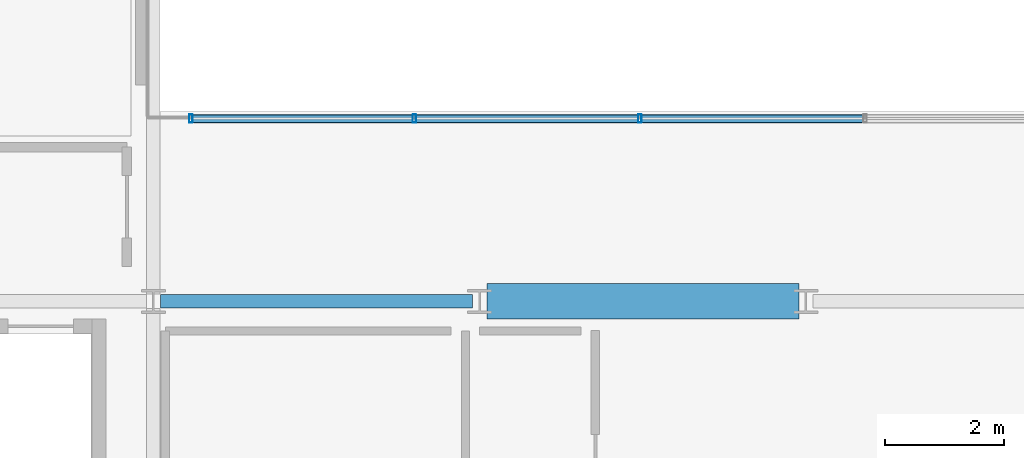
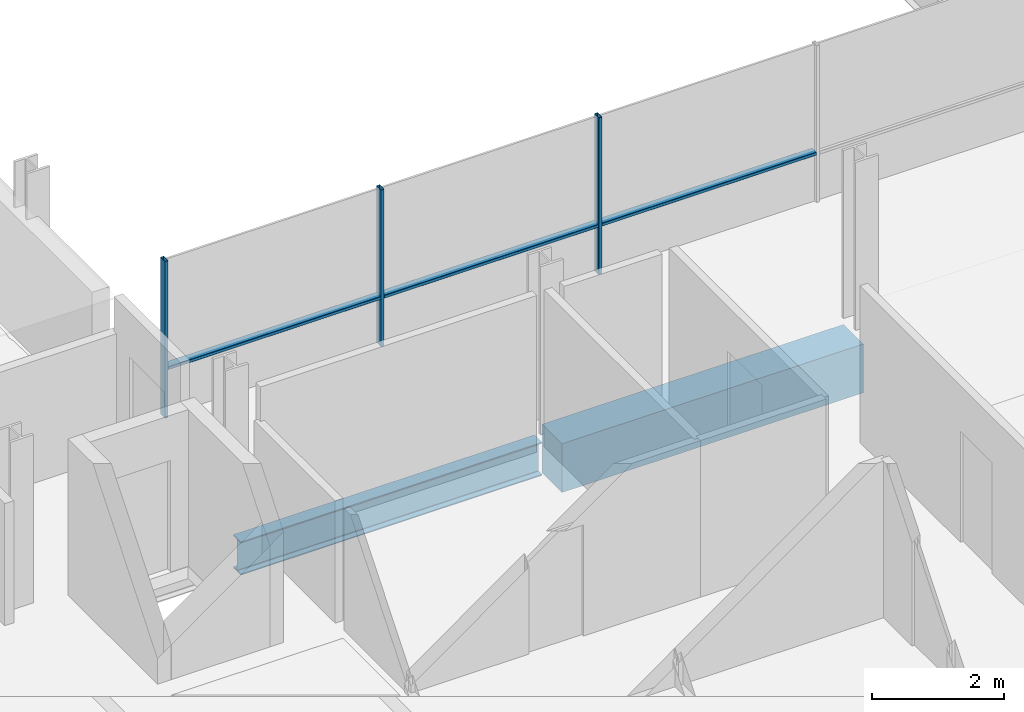
# One storey, part 6 of 41: 6 members, 2 beams, 1 element without a shape of its own.
"""IFC4 building model written with IfcOpenShell, lengths in metres."""

import ifcopenshell
import ifcopenshell.guid

model = None  # the IFC model being written
_history = None  # IfcOwnerHistory: only IFC2X3 demands one
_inside = {}  # id of a spatial element -> (the spatial element, [elements in it])
_under = {}  # id of a project, library or spatial element -> (it, [spatial elements below it])
_declared = {}  # id of a project -> (the project, [libraries it declares])
_typed = {}  # id of a type object -> (the type object, [elements of that type])
_made_of = {}  # id of a material, layer set ... -> (it, [elements and type objects made of it])


def new_model(schema):
    """Start an empty IFC model of exactly this schema.

    Asked for "IFC4X3", IfcOpenShell would pick the latest addendum, in which some entities
    have other attributes; the version numbers below select the first issue.
    IFC2X3 requires an IfcOwnerHistory on every rooted entity: one is made here for all.
    """
    global model, _history
    if schema == "IFC4X3":
        model = ifcopenshell.file(schema_version=(4, 3, 0, 0))
    else:
        model = ifcopenshell.file(schema=schema)
    _inside.clear()
    _under.clear()
    _declared.clear()
    _typed.clear()
    _made_of.clear()
    _history = None
    if model.schema == "IFC2X3":
        org = make("IfcOrganization", Name="unknown")
        user = make(
            "IfcPersonAndOrganization",
            ThePerson=make("IfcPerson", FamilyName="unknown"),
            TheOrganization=org,
        )
        app = make(
            "IfcApplication",
            ApplicationDeveloper=org,
            Version="unknown",
            ApplicationFullName="unknown",
            ApplicationIdentifier="unknown",
        )
        _history = make(
            "IfcOwnerHistory",
            OwningUser=user,
            OwningApplication=app,
            ChangeAction="ADDED",
            CreationDate=0,
        )
    return model


def make(cls, **values):
    """One entity of the class cls with the attributes given. An attribute that is None is left unset."""
    return model.create_entity(
        cls, **{name: value for name, value in values.items() if value is not None}
    )


def rooted(cls, **values):
    """An entity with a GlobalId (a new one), such as an element, a storey or a relation."""
    return make(cls, GlobalId=ifcopenshell.guid.new(), OwnerHistory=_history, **values)


def si_unit(unit_type, name, prefix=None):
    """IfcSIUnit, for example si_unit("LENGTHUNIT", "METRE", prefix="MILLI")."""
    return make("IfcSIUnit", UnitType=unit_type, Prefix=prefix, Name=name)


def assignment(units):
    """IfcUnitAssignment: the units of a project."""
    return None if units is None else make("IfcUnitAssignment", Units=units)


def point(xyz):
    """IfcCartesianPoint."""
    return None if xyz is None else make("IfcCartesianPoint", Coordinates=xyz)


def direction(xyz):
    """IfcDirection."""
    return None if xyz is None else make("IfcDirection", DirectionRatios=xyz)


def frame(location, z_axis=None, x_axis=None):
    """IfcAxis2Placement3D, a coordinate frame: its origin and axes. An axis left out is left unset."""
    return make(
        "IfcAxis2Placement3D",
        Location=point(location),
        Axis=direction(z_axis),
        RefDirection=direction(x_axis),
    )


def frame_2d(location, x_axis=None):
    """IfcAxis2Placement2D, a coordinate frame in the plane: its origin and x axis."""
    return make(
        "IfcAxis2Placement2D", Location=point(location), RefDirection=direction(x_axis)
    )


def origin():
    """The frame at (0, 0, 0) with its axes left unset."""
    return frame((0.0, 0.0, 0.0))


def origin_2d():
    """The frame at (0, 0) in the plane with its x axis left unset."""
    return frame_2d((0.0, 0.0))


def place(relative_to, where):
    """IfcLocalPlacement: puts the frame where relative to a parent placement (None: the world)."""
    return make(
        "IfcLocalPlacement", PlacementRelTo=relative_to, RelativePlacement=where
    )


def context(
    kind, dimensions, precision=None, world=None, true_north=None, identifier=None
):
    """IfcGeometricRepresentationContext, for example the 3D "Model" context."""
    return make(
        "IfcGeometricRepresentationContext",
        ContextIdentifier=identifier,
        ContextType=kind,
        CoordinateSpaceDimension=dimensions,
        Precision=precision,
        WorldCoordinateSystem=world,
        TrueNorth=true_north,
    )


def subcontext(parent, identifier, kind, view, scale=None):
    """IfcGeometricRepresentationSubContext, for example "Body" below "Model"."""
    return make(
        "IfcGeometricRepresentationSubContext",
        ContextIdentifier=identifier,
        ContextType=kind,
        ParentContext=parent,
        TargetScale=scale,
        TargetView=view,
    )


def project(units=None, contexts=None):
    """IfcProject with its units and contexts."""
    return rooted(
        "IfcProject",
        Name="project",
        RepresentationContexts=contexts,
        UnitsInContext=assignment(units),
    )


def spatial(cls, under=None, at=None, **own):
    """A site, building, storey or space (cls), placed at a placement, below another one or the project."""
    s = rooted(cls, ObjectPlacement=at, **own)
    if under is not None:
        _under.setdefault(under.id(), (under, []))[1].append(s)
    return s


def profile(cls, at=None, kind="AREA", **sizes):
    """A parametric profile (cls). Its sizes go by their IFC names, for example OverallWidth=200.0."""
    return make(cls, ProfileType=kind, Position=at, **sizes)


def rectangle(**sizes):
    """IfcRectangleProfileDef."""
    return profile("IfcRectangleProfileDef", **sizes)


def hollow_rectangle(**sizes):
    """IfcRectangleHollowProfileDef."""
    return profile("IfcRectangleHollowProfileDef", **sizes)


def i_section(**sizes):
    """IfcIShapeProfileDef."""
    return profile("IfcIShapeProfileDef", **sizes)


def extrude(swept, where, along, depth):
    """IfcExtrudedAreaSolid: the profile swept, set in the frame where, extruded along a direction by depth."""
    return make(
        "IfcExtrudedAreaSolid",
        SweptArea=swept,
        Position=where,
        ExtrudedDirection=direction(along),
        Depth=depth,
    )


def shape(context_of_items, identifier, shape_type, items):
    """IfcShapeRepresentation: the items that make up one representation, for example the "Body"."""
    return make(
        "IfcShapeRepresentation",
        ContextOfItems=context_of_items,
        RepresentationIdentifier=identifier,
        RepresentationType=shape_type,
        Items=items,
    )


def material(Name=None, Category=None):
    """IfcMaterial."""
    return make("IfcMaterial", Name=Name, Category=Category)


def layer(
    of_material, thickness, ventilated=None, Name=None, Category=None, Priority=None
):
    """IfcMaterialLayer: one layer of a wall or slab, of a material (None: an air gap)."""
    return make(
        "IfcMaterialLayer",
        Material=of_material,
        LayerThickness=thickness,
        IsVentilated=ventilated,
        Name=Name,
        Category=Category,
        Priority=Priority,
    )


def layer_set(layers, Name=None):
    """IfcMaterialLayerSet."""
    return make("IfcMaterialLayerSet", MaterialLayers=layers, LayerSetName=Name)


def material_profile(
    of_material, cross_section, Name=None, Category=None, Priority=None
):
    """IfcMaterialProfile: a cross section and its material."""
    return make(
        "IfcMaterialProfile",
        Name=Name,
        Material=of_material,
        Profile=cross_section,
        Priority=Priority,
        Category=Category,
    )


def profile_set(profiles, Name=None, composite=None):
    """IfcMaterialProfileSet."""
    return make(
        "IfcMaterialProfileSet",
        Name=Name,
        MaterialProfiles=profiles,
        CompositeProfile=composite,
    )


def made_of(thing, what):
    """Note that an element or type object is made of a material, layer set ...; save() writes the relation."""
    if what is not None:
        _made_of.setdefault(what.id(), (what, []))[1].append(thing)
    return thing


def type_object(cls, material=None, **own):
    """A type object (cls), such as IfcWallType, which elements share."""
    return made_of(rooted(cls, **own), material)


def element(
    cls,
    number,
    at=None,
    inside=None,
    cuts=None,
    type_object=None,
    material=None,
    context=None,
    identifier="Body",
    shape_type=None,
    held_by="IfcProductDefinitionShape",
    body=None,
    shapes=None,
    **own,
):
    """One element of the class cls, such as IfcWall. Its Tag is "e" and its number.

    at: its placement. inside: the storey or other place that contains it. cuts: it is an
    opening in that element (IfcRelVoidsElement). A single representation is given by context,
    identifier, shape_type and body (its items); several are given by shapes. held_by: the class
    of the entity that holds the representations. save() writes the other relations.
    """
    e = rooted(cls, Tag="e%d" % number, ObjectPlacement=at, **own)
    if body is not None:
        shapes = [shape(context, identifier, shape_type, body)]
    if shapes is not None:
        e.Representation = make(held_by, Representations=shapes)
    if inside is not None:
        _inside.setdefault(inside.id(), (inside, []))[1].append(e)
    if cuts is not None:
        rooted(
            "IfcRelVoidsElement", RelatingBuildingElement=cuts, RelatedOpeningElement=e
        )
    if type_object is not None:
        _typed.setdefault(type_object.id(), (type_object, []))[1].append(e)
    return made_of(e, material)


def aggregate(whole, parts):
    """IfcRelAggregates: a whole, such as a stair, and the parts it consists of."""
    return rooted("IfcRelAggregates", RelatingObject=whole, RelatedObjects=parts)


def save(model, path):
    """Write the relations noted so far, then the file.

    IfcRelAggregates (storeys below a building ...), IfcRelContainedInSpatialStructure (elements
    in a storey), IfcRelDefinesByType, IfcRelAssociatesMaterial and IfcRelDeclares: one each for
    every whole, place, type object, material and project.
    """
    for whole, parts in _under.values():
        aggregate(whole, parts)
    for where, things in _inside.values():
        rooted(
            "IfcRelContainedInSpatialStructure",
            RelatedElements=things,
            RelatingStructure=where,
        )
    for kind, things in _typed.values():
        rooted("IfcRelDefinesByType", RelatedObjects=things, RelatingType=kind)
    for what, things in _made_of.values():
        rooted("IfcRelAssociatesMaterial", RelatedObjects=things, RelatingMaterial=what)
    for by, libraries in _declared.values():
        rooted("IfcRelDeclares", RelatingContext=by, RelatedDefinitions=libraries)
    model.write(path)


model = new_model("IFC4")

# Units and contexts
model_context = context("Model", 3, precision=1e-05, world=origin(), true_north=direction((0.0, 1.0)))
body_context = subcontext(model_context, "Body", "Model", "MODEL_VIEW")
ifc_project = project(units=[si_unit("LENGTHUNIT", "METRE"), si_unit("AREAUNIT", "SQUARE_METRE"), si_unit("VOLUMEUNIT", "CUBIC_METRE"), si_unit("PLANEANGLEUNIT", "RADIAN"), si_unit("MASSUNIT", "GRAM", prefix="KILO")], contexts=[model_context])

# Site, building, storey
site_placement = place(None, origin())
site = spatial("IfcSite", under=ifc_project, at=site_placement, CompositionType="ELEMENT")
building_placement = place(site_placement, origin())
building = spatial("IfcBuilding", under=site, at=building_placement, Name="Brevholm Reach", CompositionType="ELEMENT")
storey_placement = place(building_placement, frame((0.0, 0.0, 169.699951171875)))
storey = spatial("IfcBuildingStorey", under=building, at=storey_placement, Name="L51", CompositionType="ELEMENT", Elevation=169.699951171875)

# Beams
ifc_material_1 = material(Name="Concrete C50/60", Category="concrete")
ifc_material_profile_1 = material_profile(ifc_material_1, rectangle(XDim=0.60009765625, YDim=0.89990234375, at=origin_2d()), Name="RC 600x900")
ifc_profile_set_1 = profile_set([ifc_material_profile_1], Name="Concrete C50/60")
beam_type_1 = type_object("IfcBeamType", Name="BM-CB600", PredefinedType="LINTEL", material=ifc_profile_set_1)
beam_1_placement = place(storey_placement, frame((27.3701171875, 10.0, -0.669921875), z_axis=(1.0, 0.0, 0.0), x_axis=(0.0, 1.0, 0.0)))
element("IfcBeam", 1, at=beam_1_placement, inside=storey, type_object=beam_type_1, Name="L51 CB-02 Framing Beam", PredefinedType="LINTEL", context=body_context, shape_type="SweptSolid", body=[
    extrude(rectangle(XDim=0.60009765625, YDim=0.89990234375, at=origin_2d()), origin(), (0.0, 0.0, 1.0), 5.259765625),
])
ifc_material_2 = material(Name="Structural Steel S355J2", Category="steel")
ifc_material_profile_2 = material_profile(ifc_material_2, i_section(OverallWidth=0.22900390625, OverallDepth=0.6123046875, WebThickness=0.011962890625, FlangeThickness=0.01953125, FilletRadius=0.0126953125, at=origin_2d()), Name="UKB 610x229x125")
ifc_profile_set_2 = profile_set([ifc_material_profile_2], Name="Structural Steel S355J2")
beam_type_2 = type_object("IfcBeamType", Name="BM-SP610", PredefinedType="SPANDREL", material=ifc_profile_set_2)
beam_2_placement = place(storey_placement, frame((21.8701171875, 10.0, -0.526123046875), z_axis=(1.0, 0.0, 0.0), x_axis=(0.0, 1.0, 0.0)))
element("IfcBeam", 2, at=beam_2_placement, inside=storey, type_object=beam_type_2, Name="L51 SP-01 Framing Beam", PredefinedType="SPANDREL", context=body_context, shape_type="SweptSolid", body=[
    extrude(i_section(OverallWidth=0.22900390625, OverallDepth=0.6123046875, WebThickness=0.011962890625, FlangeThickness=0.01953125, FilletRadius=0.0126953125, at=origin_2d()), origin(), (0.0, 0.0, 1.0), 5.259765625),
])

# Curtain wall, members
ifc_material_3 = material(Name="Dark Anodised Aluminium 6063-T6 and Solar-Control Glass", Category="aluminium")
ifc_layer = layer(ifc_material_3, 0.139892578125)
ifc_layer_set = layer_set([ifc_layer], Name="Dark Anodised Aluminium 6063-T6 and Solar-Control Glass")
curtain_wall_type = type_object("IfcCurtainWallType", Name="CW-02", PredefinedType="NOTDEFINED", material=ifc_layer_set)
curtain_wall_placement = place(storey_placement, origin())
curtain_wall = element("IfcCurtainWall", 3, at=curtain_wall_placement, inside=storey, type_object=curtain_wall_type, Name="L51 Curtain Wall CW-02", PredefinedType="NOTDEFINED")
ifc_material_4 = material(Name="Dark Anodised Aluminium 6063-T6", Category="aluminium")
ifc_material_profile_3 = material_profile(ifc_material_4, hollow_rectangle(XDim=0.06005859375, YDim=0.139892578125, WallThickness=0.0048828125, InnerFilletRadius=0.0048828125, OuterFilletRadius=0.010009765625, at=origin_2d()), Name="RHS 140x60x5")
ifc_profile_set_3 = profile_set([ifc_material_profile_3], Name="Dark Anodised Aluminium 6063-T6")
member_type_1 = type_object("IfcMemberType", Name="CWM-140", PredefinedType="MULLION", material=ifc_profile_set_3)
member_1_placement = place(storey_placement, frame((22.3798828125, 13.080078125, 0.0), z_axis=(0.0, 0.0, 1.0), x_axis=(1.0, 0.0, 0.0)))
member_1 = element("IfcMember", 4, at=member_1_placement, type_object=member_type_1, Name="CM-140 Mullion 1", PredefinedType="MULLION", context=body_context, shape_type="SweptSolid", body=[
    extrude(hollow_rectangle(XDim=0.06005859375, YDim=0.139892578125, WallThickness=0.0048828125, InnerFilletRadius=0.0048828125, OuterFilletRadius=0.010009765625, at=origin_2d()), origin(), (0.0, 0.0, 1.0), 2.89013671875),
])
member_2_placement = place(storey_placement, frame((26.14990234375, 13.080078125, 0.0), z_axis=(0.0, 0.0, 1.0), x_axis=(1.0, 0.0, 0.0)))
member_2 = element("IfcMember", 5, at=member_2_placement, type_object=member_type_1, Name="CM-140 Mullion 2", PredefinedType="MULLION", context=body_context, shape_type="SweptSolid", body=[
    extrude(hollow_rectangle(XDim=0.06005859375, YDim=0.139892578125, WallThickness=0.0048828125, InnerFilletRadius=0.0048828125, OuterFilletRadius=0.010009765625, at=origin_2d()), origin(), (0.0, 0.0, 1.0), 2.89013671875),
])
member_3_placement = place(storey_placement, frame((29.949951171875, 13.080078125, 0.0), z_axis=(0.0, 0.0, 1.0), x_axis=(1.0, 0.0, 0.0)))
member_3 = element("IfcMember", 6, at=member_3_placement, type_object=member_type_1, Name="CM-140 Mullion 3", PredefinedType="MULLION", context=body_context, shape_type="SweptSolid", body=[
    extrude(hollow_rectangle(XDim=0.06005859375, YDim=0.139892578125, WallThickness=0.0048828125, InnerFilletRadius=0.0048828125, OuterFilletRadius=0.010009765625, at=origin_2d()), origin(), (0.0, 0.0, 1.0), 2.89013671875),
])
ifc_material_5 = material(Name="Dark Anodised Aluminium 6063-T6", Category="aluminium")
ifc_material_profile_4 = material_profile(ifc_material_5, hollow_rectangle(XDim=0.06005859375, YDim=0.139892578125, WallThickness=0.0048828125, InnerFilletRadius=0.0048828125, OuterFilletRadius=0.010009765625, at=origin_2d()), Name="RHS 140x60x5")
ifc_profile_set_4 = profile_set([ifc_material_profile_4], Name="Dark Anodised Aluminium 6063-T6")
member_type_2 = type_object("IfcMemberType", Name="CWT-140", PredefinedType="NOTDEFINED", material=ifc_profile_set_4)
member_4_placement = place(storey_placement, frame((22.409912109375, 13.080078125, 0.900146484375), z_axis=(1.0, 0.0, 0.0), x_axis=(0.0, 0.0, 1.0)))
member_4 = element("IfcMember", 7, at=member_4_placement, type_object=member_type_2, Name="CT-140 Transom 1.1", ObjectType="TRANSOM", PredefinedType="USERDEFINED", context=body_context, shape_type="SweptSolid", body=[
    extrude(hollow_rectangle(XDim=0.06005859375, YDim=0.139892578125, WallThickness=0.0048828125, InnerFilletRadius=0.0048828125, OuterFilletRadius=0.010009765625, at=origin_2d()), origin(), (0.0, 0.0, 1.0), 3.710205078125),
])
member_5_placement = place(storey_placement, frame((26.179931640625, 13.080078125, 0.900146484375), z_axis=(1.0, 0.0, 0.0), x_axis=(0.0, 0.0, 1.0)))
member_5 = element("IfcMember", 8, at=member_5_placement, type_object=member_type_2, Name="CT-140 Transom 2.1", ObjectType="TRANSOM", PredefinedType="USERDEFINED", context=body_context, shape_type="SweptSolid", body=[
    extrude(hollow_rectangle(XDim=0.06005859375, YDim=0.139892578125, WallThickness=0.0048828125, InnerFilletRadius=0.0048828125, OuterFilletRadius=0.010009765625, at=origin_2d()), origin(), (0.0, 0.0, 1.0), 3.739990234375),
])
member_6_placement = place(storey_placement, frame((29.97998046875, 13.080078125, 0.900146484375), z_axis=(1.0, 0.0, 0.0), x_axis=(0.0, 0.0, 1.0)))
member_6 = element("IfcMember", 9, at=member_6_placement, type_object=member_type_2, Name="CT-140 Transom 3.1", ObjectType="TRANSOM", PredefinedType="USERDEFINED", context=body_context, shape_type="SweptSolid", body=[
    extrude(hollow_rectangle(XDim=0.06005859375, YDim=0.139892578125, WallThickness=0.0048828125, InnerFilletRadius=0.0048828125, OuterFilletRadius=0.010009765625, at=origin_2d()), origin(), (0.0, 0.0, 1.0), 3.739990234375),
])
aggregate(curtain_wall, [member_1, member_2, member_3, member_4, member_5, member_6])

save(model, "model.ifc")
